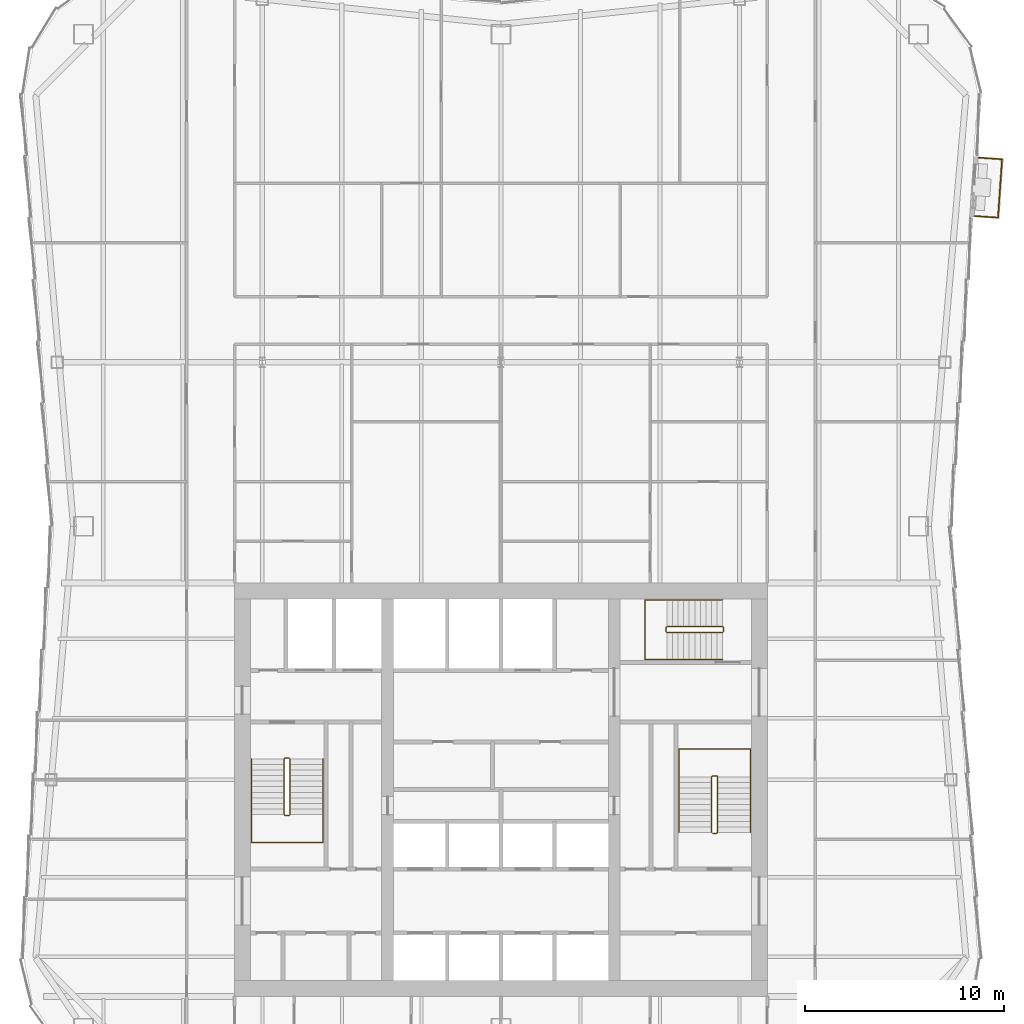
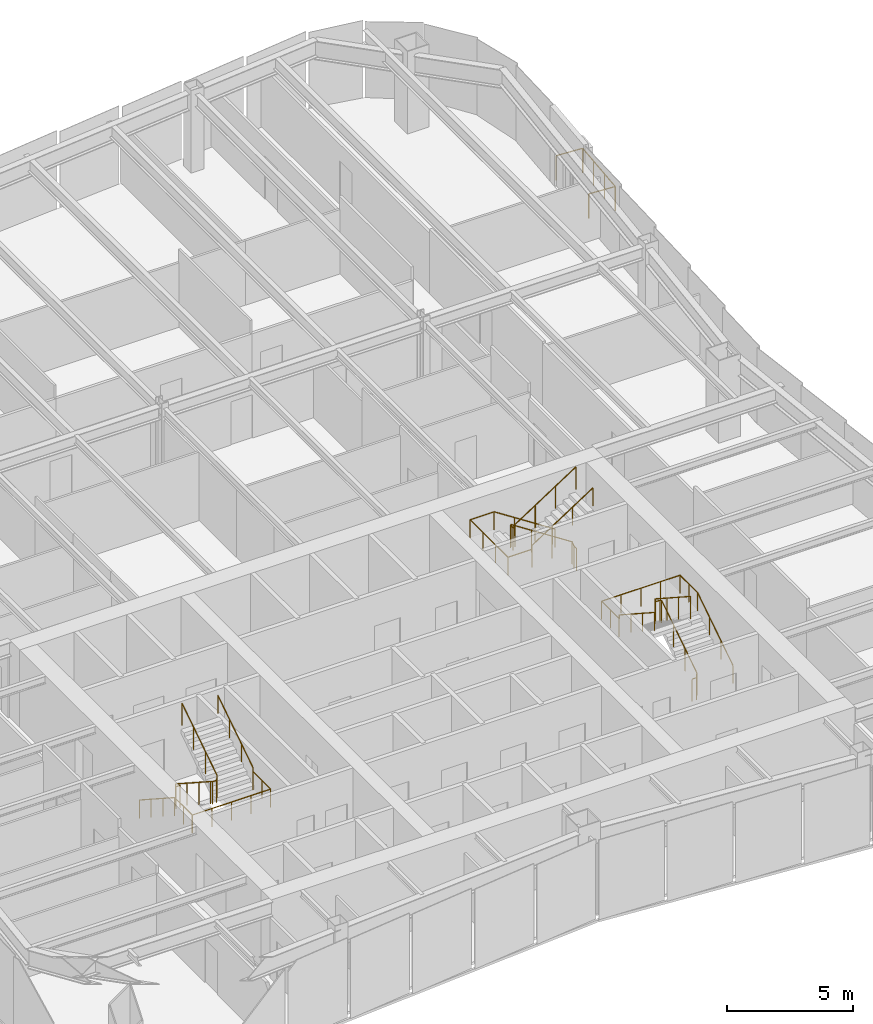
# One storey, part 11 of 12: 7 railings.
"""IFC4 building model written with IfcOpenShell, lengths in metres."""

from ifc_helpers import new_model, si_unit, direction, frame, origin, origin_2d, place, context, subcontext, project, spatial, circle, extrude, material, type_object, element, save


model = new_model("IFC4")

# Units and contexts
model_context = context("Model", 3, precision=1e-05, world=origin(), true_north=direction((0.0, 1.0)))
body_context = subcontext(model_context, "Body", "Model", "MODEL_VIEW")
ifc_project = project(units=[si_unit("LENGTHUNIT", "METRE"), si_unit("AREAUNIT", "SQUARE_METRE"), si_unit("VOLUMEUNIT", "CUBIC_METRE"), si_unit("PLANEANGLEUNIT", "RADIAN"), si_unit("MASSUNIT", "GRAM", prefix="KILO")], contexts=[model_context])

# Site, building, storey
site_placement = place(None, origin())
site = spatial("IfcSite", under=ifc_project, at=site_placement, CompositionType="ELEMENT")
building_placement = place(site_placement, origin())
building = spatial("IfcBuilding", under=site, at=building_placement, Name="Verdant Reach Tower", CompositionType="ELEMENT")
storey_placement = place(building_placement, frame((0.0, 0.0, 278.0)))
storey = spatial("IfcBuildingStorey", under=building, at=storey_placement, Name="L64", CompositionType="ELEMENT", Elevation=278.0)

# Railings
ifc_material_1 = material(Name="Stainless steel", Category="steel")
railing_type_1 = type_object("IfcRailingType", Name="CO-GUARD", PredefinedType="GUARDRAIL", material=ifc_material_1)
railing_1_placement = place(storey_placement, frame((-10.64990234375, 29.60009765625, 0.0)))
element("IfcRailing", 1, at=railing_1_placement, inside=storey, type_object=railing_type_1, Name="L64 ST-1 stair guard 1", PredefinedType="GUARDRAIL", context=body_context, shape_type="SweptSolid", body=[
    extrude(circle(Radius=0.02392578125, at=origin_2d()), frame((0.0, 0.0, 1.076171875), z_axis=(-1.0, 0.0, 0.0), x_axis=(0.0, -1.0, 0.0)), (0.0, 0.0, 1.0), 0.2001953125),
    extrude(circle(Radius=0.02392578125, at=origin_2d()), frame((-0.2001953125, 0.0, 1.076171875), z_axis=(-0.25526617399, -0.256517478764, 0.932222056972), x_axis=(0.708833529934, -0.705375805398, 0.0)), (0.0, 0.0, 1.0), 0.195068359375),
    extrude(circle(Radius=0.02392578125, at=origin_2d()), frame((-0.25, -0.050048828125, 1.2578125), z_axis=(0.0, -0.838705829183, 0.544584733623), x_axis=(1.0, 0.0, 0.0)), (0.0, 0.0, 1.0), 3.338623046875),
    extrude(circle(Radius=0.02392578125, at=origin_2d()), frame((-0.25, -2.85009765625, 3.076171875), z_axis=(0.705375805398, -0.708833529934, 0.0), x_axis=(0.708833529934, 0.705375805398, 0.0)), (0.0, 0.0, 1.0), 0.070556640625),
    extrude(circle(Radius=0.02392578125, at=origin_2d()), frame((-0.2001953125, -2.900146484375, 3.076171875), z_axis=(1.0, 0.0, 0.0), x_axis=(0.0, 1.0, 0.0)), (0.0, 0.0, 1.0), 0.2001953125),
    extrude(circle(Radius=0.02392578125, at=origin_2d()), frame((0.0, -2.900146484375, 3.076171875), z_axis=(0.25526617399, 0.256517478764, 0.932222056972), x_axis=(-0.708833529934, 0.705375805398, 0.0)), (0.0, 0.0, 1.0), 0.195068359375),
    extrude(circle(Radius=0.02392578125, at=origin_2d()), frame((0.0498046875, -2.85009765625, 3.2578125), z_axis=(0.0, 0.838705829183, 0.544584733623), x_axis=(-1.0, 0.0, 0.0)), (0.0, 0.0, 1.0), 3.338623046875),
    extrude(circle(Radius=0.02099609375, at=origin_2d()), origin(), (0.0, 0.0, 1.0), 1.052001953125),
    extrude(circle(Radius=0.02099609375, at=origin_2d()), frame((-0.2001953125, 0.0, 0.0)), (0.0, 0.0, 1.0), 1.052001953125),
    extrude(circle(Radius=0.02099609375, at=origin_2d()), frame((-0.25, -0.050048828125, 0.181884765625)), (0.0, 0.0, 1.0), 1.052001953125),
    extrude(circle(Radius=0.02099609375, at=origin_2d()), frame((-0.25, -0.9833984375, 0.787841796875)), (0.0, 0.0, 1.0), 1.052001953125),
    extrude(circle(Radius=0.02099609375, at=origin_2d()), frame((-0.25, -1.916748046875, 1.39404296875)), (0.0, 0.0, 1.0), 1.052001953125),
    extrude(circle(Radius=0.02099609375, at=origin_2d()), frame((-0.25, -2.85009765625, 2.0)), (0.0, 0.0, 1.0), 1.052001953125),
    extrude(circle(Radius=0.02099609375, at=origin_2d()), frame((-0.2001953125, -2.900146484375, 2.0)), (0.0, 0.0, 1.0), 1.052001953125),
    extrude(circle(Radius=0.02099609375, at=origin_2d()), frame((0.0, -2.900146484375, 2.0)), (0.0, 0.0, 1.0), 1.052001953125),
    extrude(circle(Radius=0.02099609375, at=origin_2d()), frame((0.0498046875, -2.85009765625, 2.181884765625)), (0.0, 0.0, 1.0), 1.052001953125),
    extrude(circle(Radius=0.02099609375, at=origin_2d()), frame((0.0498046875, -1.916748046875, 2.787841796875)), (0.0, 0.0, 1.0), 1.052001953125),
    extrude(circle(Radius=0.02099609375, at=origin_2d()), frame((0.0498046875, -0.9833984375, 3.39404296875)), (0.0, 0.0, 1.0), 1.052001953125),
    extrude(circle(Radius=0.02099609375, at=origin_2d()), frame((0.0498046875, -0.050048828125, 4.0)), (0.0, 0.0, 1.0), 1.052001953125),
])
railing_2_placement = place(storey_placement, frame((10.64990234375, 25.800048828125, 0.0)))
element("IfcRailing", 2, at=railing_2_placement, inside=storey, type_object=railing_type_1, Name="L64 ST-2 stair guard 1", PredefinedType="GUARDRAIL", context=body_context, shape_type="SweptSolid", body=[
    extrude(circle(Radius=0.02392578125, at=origin_2d()), frame((0.0, 0.0, 1.076171875), z_axis=(1.0, 0.0, 0.0), x_axis=(0.0, 1.0, 0.0)), (0.0, 0.0, 1.0), 0.2001953125),
    extrude(circle(Radius=0.02392578125, at=origin_2d()), frame((0.2001953125, 0.0, 1.076171875), z_axis=(0.25526617399, 0.256517478764, 0.932222056972), x_axis=(-0.708833529934, 0.705375805398, 0.0)), (0.0, 0.0, 1.0), 0.195068359375),
    extrude(circle(Radius=0.02392578125, at=origin_2d()), frame((0.25, 0.050048828125, 1.2578125), z_axis=(0.0, 0.83868413941, 0.544618136222), x_axis=(-1.0, 0.0, 0.0)), (0.0, 0.0, 1.0), 3.33837890625),
    extrude(circle(Radius=0.02392578125, at=origin_2d()), frame((0.25, 2.849853515625, 3.076171875), z_axis=(-0.705375805398, 0.708833529934, 0.0), x_axis=(-0.708833529934, -0.705375805398, 0.0)), (0.0, 0.0, 1.0), 0.070556640625),
    extrude(circle(Radius=0.02392578125, at=origin_2d()), frame((0.2001953125, 2.89990234375, 3.076171875), z_axis=(-1.0, 0.0, 0.0), x_axis=(0.0, -1.0, 0.0)), (0.0, 0.0, 1.0), 0.2001953125),
    extrude(circle(Radius=0.02392578125, at=origin_2d()), frame((0.0, 2.89990234375, 3.076171875), z_axis=(-0.25526617399, -0.256517478764, 0.932222056972), x_axis=(0.708833529934, -0.705375805398, 0.0)), (0.0, 0.0, 1.0), 0.195068359375),
    extrude(circle(Radius=0.02392578125, at=origin_2d()), frame((-0.0498046875, 2.849853515625, 3.2578125), z_axis=(0.0, -0.83868413941, 0.544618136222), x_axis=(1.0, 0.0, 0.0)), (0.0, 0.0, 1.0), 3.33837890625),
    extrude(circle(Radius=0.02099609375, at=origin_2d()), origin(), (0.0, 0.0, 1.0), 1.052001953125),
    extrude(circle(Radius=0.02099609375, at=origin_2d()), frame((0.2001953125, 0.0, 0.0)), (0.0, 0.0, 1.0), 1.052001953125),
    extrude(circle(Radius=0.02099609375, at=origin_2d()), frame((0.25, 0.050048828125, 0.181884765625)), (0.0, 0.0, 1.0), 1.052001953125),
    extrude(circle(Radius=0.02099609375, at=origin_2d()), frame((0.25, 0.9833984375, 0.787841796875)), (0.0, 0.0, 1.0), 1.052001953125),
    extrude(circle(Radius=0.02099609375, at=origin_2d()), frame((0.25, 1.91650390625, 1.39404296875)), (0.0, 0.0, 1.0), 1.052001953125),
    extrude(circle(Radius=0.02099609375, at=origin_2d()), frame((0.25, 2.849853515625, 2.0)), (0.0, 0.0, 1.0), 1.052001953125),
    extrude(circle(Radius=0.02099609375, at=origin_2d()), frame((0.2001953125, 2.89990234375, 2.0)), (0.0, 0.0, 1.0), 1.052001953125),
    extrude(circle(Radius=0.02099609375, at=origin_2d()), frame((0.0, 2.89990234375, 2.0)), (0.0, 0.0, 1.0), 1.052001953125),
    extrude(circle(Radius=0.02099609375, at=origin_2d()), frame((-0.0498046875, 2.849853515625, 2.181884765625)), (0.0, 0.0, 1.0), 1.052001953125),
    extrude(circle(Radius=0.02099609375, at=origin_2d()), frame((-0.0498046875, 1.91650390625, 2.787841796875)), (0.0, 0.0, 1.0), 1.052001953125),
    extrude(circle(Radius=0.02099609375, at=origin_2d()), frame((-0.0498046875, 0.9833984375, 3.39404296875)), (0.0, 0.0, 1.0), 1.052001953125),
    extrude(circle(Radius=0.02099609375, at=origin_2d()), frame((-0.0498046875, 0.050048828125, 4.0)), (0.0, 0.0, 1.0), 1.052001953125),
])
railing_3_placement = place(storey_placement, frame((11.199951171875, 35.949951171875, 0.0)))
element("IfcRailing", 3, at=railing_3_placement, inside=storey, type_object=railing_type_1, Name="L64 ST-3 stair guard 1", PredefinedType="GUARDRAIL", context=body_context, shape_type="SweptSolid", body=[
    extrude(circle(Radius=0.02392578125, at=origin_2d()), frame((0.0, 0.0, 1.076171875), z_axis=(0.0, 1.0, 0.0), x_axis=(-1.0, 0.0, 0.0)), (0.0, 0.0, 1.0), 0.199951171875),
    extrude(circle(Radius=0.02392578125, at=origin_2d()), frame((0.0, 0.199951171875, 1.076171875), z_axis=(-0.256435381639, 0.256435381639, 0.931923704005), x_axis=(-0.707106781187, -0.707106781187, 0.0)), (0.0, 0.0, 1.0), 0.195068359375),
    extrude(circle(Radius=0.02392578125, at=origin_2d()), frame((-0.050048828125, 0.25, 1.2578125), z_axis=(-0.83868413941, 0.0, 0.544618136222), x_axis=(0.0, -1.0, 0.0)), (0.0, 0.0, 1.0), 3.33837890625),
    extrude(circle(Radius=0.02392578125, at=origin_2d()), frame((-2.849853515625, 0.25, 3.076171875), z_axis=(-0.707106781187, -0.707106781187, 0.0), x_axis=(0.707106781187, -0.707106781187, 0.0)), (0.0, 0.0, 1.0), 0.07080078125),
    extrude(circle(Radius=0.02392578125, at=origin_2d()), frame((-2.89990234375, 0.199951171875, 3.076171875), z_axis=(0.0, -1.0, 0.0), x_axis=(1.0, 0.0, 0.0)), (0.0, 0.0, 1.0), 0.199951171875),
    extrude(circle(Radius=0.02392578125, at=origin_2d()), frame((-2.89990234375, 0.0, 3.076171875), z_axis=(0.256435381639, -0.256435381639, 0.931923704005), x_axis=(0.707106781187, 0.707106781187, 0.0)), (0.0, 0.0, 1.0), 0.195068359375),
    extrude(circle(Radius=0.02392578125, at=origin_2d()), frame((-2.849853515625, -0.050048828125, 3.2578125), z_axis=(0.83868413941, 0.0, 0.544618136222), x_axis=(0.0, 1.0, 0.0)), (0.0, 0.0, 1.0), 3.33837890625),
    extrude(circle(Radius=0.02099609375, at=origin_2d()), origin(), (0.0, 0.0, 1.0), 1.052001953125),
    extrude(circle(Radius=0.02099609375, at=origin_2d()), frame((0.0, 0.199951171875, 0.0)), (0.0, 0.0, 1.0), 1.052001953125),
    extrude(circle(Radius=0.02099609375, at=origin_2d()), frame((-0.050048828125, 0.25, 0.181884765625)), (0.0, 0.0, 1.0), 1.052001953125),
    extrude(circle(Radius=0.02099609375, at=origin_2d()), frame((-0.9833984375, 0.25, 0.787841796875)), (0.0, 0.0, 1.0), 1.052001953125),
    extrude(circle(Radius=0.02099609375, at=origin_2d()), frame((-1.91650390625, 0.25, 1.39404296875)), (0.0, 0.0, 1.0), 1.052001953125),
    extrude(circle(Radius=0.02099609375, at=origin_2d()), frame((-2.849853515625, 0.25, 2.0)), (0.0, 0.0, 1.0), 1.052001953125),
    extrude(circle(Radius=0.02099609375, at=origin_2d()), frame((-2.89990234375, 0.199951171875, 2.0)), (0.0, 0.0, 1.0), 1.052001953125),
    extrude(circle(Radius=0.02099609375, at=origin_2d()), frame((-2.89990234375, 0.0, 2.0)), (0.0, 0.0, 1.0), 1.052001953125),
    extrude(circle(Radius=0.02099609375, at=origin_2d()), frame((-2.849853515625, -0.050048828125, 2.181884765625)), (0.0, 0.0, 1.0), 1.052001953125),
    extrude(circle(Radius=0.02099609375, at=origin_2d()), frame((-1.91650390625, -0.050048828125, 2.787841796875)), (0.0, 0.0, 1.0), 1.052001953125),
    extrude(circle(Radius=0.02099609375, at=origin_2d()), frame((-0.9833984375, -0.050048828125, 3.39404296875)), (0.0, 0.0, 1.0), 1.052001953125),
    extrude(circle(Radius=0.02099609375, at=origin_2d()), frame((-0.050048828125, -0.050048828125, 4.0)), (0.0, 0.0, 1.0), 1.052001953125),
])
railing_type_2 = type_object("IfcRailingType", Name="CO-HANDRAIL", PredefinedType="HANDRAIL", material=ifc_material_1)
railing_4_placement = place(storey_placement, frame((-12.550048828125, 29.550048828125, 0.181884765625)))
element("IfcRailing", 4, at=railing_4_placement, inside=storey, type_object=railing_type_2, Name="L64 ST-1 stair handrail 1", PredefinedType="HANDRAIL", context=body_context, shape_type="SweptSolid", body=[
    extrude(circle(Radius=0.02392578125, at=origin_2d()), frame((0.0, 0.0, 0.8759765625), z_axis=(0.0, -0.838705829183, 0.544584733623), x_axis=(1.0, 0.0, 0.0)), (0.0, 0.0, 1.0), 3.338623046875),
    extrude(circle(Radius=0.02392578125, at=origin_2d()), frame((0.0, -2.800048828125, 2.69384765625), z_axis=(0.0, -1.0, 0.0), x_axis=(1.0, 0.0, 0.0)), (0.0, 0.0, 1.0), 1.39990234375),
    extrude(circle(Radius=0.02392578125, at=origin_2d()), frame((0.0, -4.199951171875, 2.69384765625), z_axis=(1.0, 0.0, 0.0), x_axis=(0.0, 1.0, 0.0)), (0.0, 0.0, 1.0), 3.60009765625),
    extrude(circle(Radius=0.02392578125, at=origin_2d()), frame((3.60009765625, -4.199951171875, 2.69384765625), z_axis=(0.0, 1.0, 0.0), x_axis=(-1.0, 0.0, 0.0)), (0.0, 0.0, 1.0), 1.39990234375),
    extrude(circle(Radius=0.02392578125, at=origin_2d()), frame((3.60009765625, -2.800048828125, 2.69384765625), z_axis=(0.0, 0.0, 1.0), x_axis=(1.0, 0.0, 0.0)), (0.0, 0.0, 1.0), 0.181884765625),
    extrude(circle(Radius=0.02392578125, at=origin_2d()), frame((3.60009765625, -2.800048828125, 2.8759765625), z_axis=(0.0, 0.838705829183, 0.544584733623), x_axis=(-1.0, 0.0, 0.0)), (0.0, 0.0, 1.0), 3.338623046875),
    extrude(circle(Radius=0.02099609375, at=origin_2d()), origin(), (0.0, 0.0, 1.0), 0.851806640625),
    extrude(circle(Radius=0.02099609375, at=origin_2d()), frame((0.0, -0.933349609375, 0.60595703125)), (0.0, 0.0, 1.0), 0.851806640625),
    extrude(circle(Radius=0.02099609375, at=origin_2d()), frame((0.0, -1.86669921875, 1.212158203125)), (0.0, 0.0, 1.0), 0.851806640625),
    extrude(circle(Radius=0.02099609375, at=origin_2d()), frame((0.0, -2.800048828125, 1.818115234375)), (0.0, 0.0, 1.0), 0.851806640625),
    extrude(circle(Radius=0.02099609375, at=origin_2d()), frame((0.0, -3.5, 1.818115234375)), (0.0, 0.0, 1.0), 0.851806640625),
    extrude(circle(Radius=0.02099609375, at=origin_2d()), frame((0.0, -4.199951171875, 1.818115234375)), (0.0, 0.0, 1.0), 0.851806640625),
    extrude(circle(Radius=0.02099609375, at=origin_2d()), frame((0.89990234375, -4.199951171875, 1.818115234375)), (0.0, 0.0, 1.0), 0.851806640625),
    extrude(circle(Radius=0.02099609375, at=origin_2d()), frame((1.800048828125, -4.199951171875, 1.818115234375)), (0.0, 0.0, 1.0), 0.851806640625),
    extrude(circle(Radius=0.02099609375, at=origin_2d()), frame((2.7001953125, -4.199951171875, 1.818115234375)), (0.0, 0.0, 1.0), 0.851806640625),
    extrude(circle(Radius=0.02099609375, at=origin_2d()), frame((3.60009765625, -4.199951171875, 1.818115234375)), (0.0, 0.0, 1.0), 0.851806640625),
    extrude(circle(Radius=0.02099609375, at=origin_2d()), frame((3.60009765625, -3.5, 1.818115234375)), (0.0, 0.0, 1.0), 0.851806640625),
    extrude(circle(Radius=0.02099609375, at=origin_2d()), frame((3.60009765625, -2.800048828125, 1.818115234375)), (0.0, 0.0, 1.0), 0.851806640625),
    extrude(circle(Radius=0.02099609375, at=origin_2d()), frame((3.60009765625, -2.800048828125, 2.0)), (0.0, 0.0, 1.0), 0.851806640625),
    extrude(circle(Radius=0.02099609375, at=origin_2d()), frame((3.60009765625, -1.86669921875, 2.60595703125)), (0.0, 0.0, 1.0), 0.851806640625),
    extrude(circle(Radius=0.02099609375, at=origin_2d()), frame((3.60009765625, -0.933349609375, 3.212158203125)), (0.0, 0.0, 1.0), 0.851806640625),
    extrude(circle(Radius=0.02099609375, at=origin_2d()), frame((3.60009765625, 0.0, 3.818115234375)), (0.0, 0.0, 1.0), 0.851806640625),
])
railing_5_placement = place(storey_placement, frame((12.550048828125, 25.85009765625, 0.181884765625)))
element("IfcRailing", 5, at=railing_5_placement, inside=storey, type_object=railing_type_2, Name="L64 ST-2 stair handrail 1", PredefinedType="HANDRAIL", context=body_context, shape_type="SweptSolid", body=[
    extrude(circle(Radius=0.02392578125, at=origin_2d()), frame((0.0, 0.0, 0.8759765625), z_axis=(0.0, 0.83868413941, 0.544618136222), x_axis=(-1.0, 0.0, 0.0)), (0.0, 0.0, 1.0), 3.33837890625),
    extrude(circle(Radius=0.02392578125, at=origin_2d()), frame((0.0, 2.7998046875, 2.69384765625), z_axis=(0.0, 1.0, 0.0), x_axis=(-1.0, 0.0, 0.0)), (0.0, 0.0, 1.0), 1.400146484375),
    extrude(circle(Radius=0.02392578125, at=origin_2d()), frame((0.0, 4.199951171875, 2.69384765625), z_axis=(-1.0, 0.0, 0.0), x_axis=(0.0, -1.0, 0.0)), (0.0, 0.0, 1.0), 3.60009765625),
    extrude(circle(Radius=0.02392578125, at=origin_2d()), frame((-3.60009765625, 4.199951171875, 2.69384765625), z_axis=(0.0, -1.0, 0.0), x_axis=(1.0, 0.0, 0.0)), (0.0, 0.0, 1.0), 1.400146484375),
    extrude(circle(Radius=0.02392578125, at=origin_2d()), frame((-3.60009765625, 2.7998046875, 2.69384765625), z_axis=(0.0, 0.0, 1.0), x_axis=(1.0, 0.0, 0.0)), (0.0, 0.0, 1.0), 0.181884765625),
    extrude(circle(Radius=0.02392578125, at=origin_2d()), frame((-3.60009765625, 2.7998046875, 2.8759765625), z_axis=(0.0, -0.83868413941, 0.544618136222), x_axis=(1.0, 0.0, 0.0)), (0.0, 0.0, 1.0), 3.33837890625),
    extrude(circle(Radius=0.02099609375, at=origin_2d()), origin(), (0.0, 0.0, 1.0), 0.851806640625),
    extrude(circle(Radius=0.02099609375, at=origin_2d()), frame((0.0, 0.933349609375, 0.60595703125)), (0.0, 0.0, 1.0), 0.851806640625),
    extrude(circle(Radius=0.02099609375, at=origin_2d()), frame((0.0, 1.866455078125, 1.212158203125)), (0.0, 0.0, 1.0), 0.851806640625),
    extrude(circle(Radius=0.02099609375, at=origin_2d()), frame((0.0, 2.7998046875, 1.818115234375)), (0.0, 0.0, 1.0), 0.851806640625),
    extrude(circle(Radius=0.02099609375, at=origin_2d()), frame((0.0, 3.5, 1.818115234375)), (0.0, 0.0, 1.0), 0.851806640625),
    extrude(circle(Radius=0.02099609375, at=origin_2d()), frame((0.0, 4.199951171875, 1.818115234375)), (0.0, 0.0, 1.0), 0.851806640625),
    extrude(circle(Radius=0.02099609375, at=origin_2d()), frame((-0.89990234375, 4.199951171875, 1.818115234375)), (0.0, 0.0, 1.0), 0.851806640625),
    extrude(circle(Radius=0.02099609375, at=origin_2d()), frame((-1.800048828125, 4.199951171875, 1.818115234375)), (0.0, 0.0, 1.0), 0.851806640625),
    extrude(circle(Radius=0.02099609375, at=origin_2d()), frame((-2.7001953125, 4.199951171875, 1.818115234375)), (0.0, 0.0, 1.0), 0.851806640625),
    extrude(circle(Radius=0.02099609375, at=origin_2d()), frame((-3.60009765625, 4.199951171875, 1.818115234375)), (0.0, 0.0, 1.0), 0.851806640625),
    extrude(circle(Radius=0.02099609375, at=origin_2d()), frame((-3.60009765625, 3.5, 1.818115234375)), (0.0, 0.0, 1.0), 0.851806640625),
    extrude(circle(Radius=0.02099609375, at=origin_2d()), frame((-3.60009765625, 2.7998046875, 1.818115234375)), (0.0, 0.0, 1.0), 0.851806640625),
    extrude(circle(Radius=0.02099609375, at=origin_2d()), frame((-3.60009765625, 2.7998046875, 2.0)), (0.0, 0.0, 1.0), 0.851806640625),
    extrude(circle(Radius=0.02099609375, at=origin_2d()), frame((-3.60009765625, 1.866455078125, 2.60595703125)), (0.0, 0.0, 1.0), 0.851806640625),
    extrude(circle(Radius=0.02099609375, at=origin_2d()), frame((-3.60009765625, 0.933349609375, 3.212158203125)), (0.0, 0.0, 1.0), 0.851806640625),
    extrude(circle(Radius=0.02099609375, at=origin_2d()), frame((-3.60009765625, 0.0, 3.818115234375)), (0.0, 0.0, 1.0), 0.851806640625),
])
railing_6_placement = place(storey_placement, frame((11.14990234375, 37.550048828125, 0.181884765625)))
element("IfcRailing", 6, at=railing_6_placement, inside=storey, type_object=railing_type_2, Name="L64 ST-3 stair handrail 1", PredefinedType="HANDRAIL", context=body_context, shape_type="SweptSolid", body=[
    extrude(circle(Radius=0.02392578125, at=origin_2d()), frame((0.0, 0.0, 0.8759765625), z_axis=(-0.83868413941, 0.0, 0.544618136222), x_axis=(0.0, -1.0, 0.0)), (0.0, 0.0, 1.0), 3.33837890625),
    extrude(circle(Radius=0.02392578125, at=origin_2d()), frame((-2.7998046875, 0.0, 2.69384765625), z_axis=(-1.0, 0.0, 0.0), x_axis=(0.0, -1.0, 0.0)), (0.0, 0.0, 1.0), 1.10009765625),
    extrude(circle(Radius=0.02392578125, at=origin_2d()), frame((-3.89990234375, 0.0, 2.69384765625), z_axis=(0.0, -1.0, 0.0), x_axis=(1.0, 0.0, 0.0)), (0.0, 0.0, 1.0), 3.0),
    extrude(circle(Radius=0.02392578125, at=origin_2d()), frame((-3.89990234375, -3.0, 2.69384765625), z_axis=(1.0, 0.0, 0.0), x_axis=(0.0, 1.0, 0.0)), (0.0, 0.0, 1.0), 1.10009765625),
    extrude(circle(Radius=0.02392578125, at=origin_2d()), frame((-2.7998046875, -3.0, 2.69384765625), z_axis=(0.0, 0.0, 1.0), x_axis=(1.0, 0.0, 0.0)), (0.0, 0.0, 1.0), 0.181884765625),
    extrude(circle(Radius=0.02392578125, at=origin_2d()), frame((-2.7998046875, -3.0, 2.8759765625), z_axis=(0.83868413941, 0.0, 0.544618136222), x_axis=(0.0, 1.0, 0.0)), (0.0, 0.0, 1.0), 3.33837890625),
    extrude(circle(Radius=0.02099609375, at=origin_2d()), origin(), (0.0, 0.0, 1.0), 0.851806640625),
    extrude(circle(Radius=0.02099609375, at=origin_2d()), frame((-0.933349609375, 0.0, 0.60595703125)), (0.0, 0.0, 1.0), 0.851806640625),
    extrude(circle(Radius=0.02099609375, at=origin_2d()), frame((-1.866455078125, 0.0, 1.212158203125)), (0.0, 0.0, 1.0), 0.851806640625),
    extrude(circle(Radius=0.02099609375, at=origin_2d()), frame((-2.7998046875, 0.0, 1.818115234375)), (0.0, 0.0, 1.0), 0.851806640625),
    extrude(circle(Radius=0.02099609375, at=origin_2d()), frame((-3.89990234375, 0.0, 1.818115234375)), (0.0, 0.0, 1.0), 0.851806640625),
    extrude(circle(Radius=0.02099609375, at=origin_2d()), frame((-3.89990234375, -1.0, 1.818115234375)), (0.0, 0.0, 1.0), 0.851806640625),
    extrude(circle(Radius=0.02099609375, at=origin_2d()), frame((-3.89990234375, -2.0, 1.818115234375)), (0.0, 0.0, 1.0), 0.851806640625),
    extrude(circle(Radius=0.02099609375, at=origin_2d()), frame((-3.89990234375, -3.0, 1.818115234375)), (0.0, 0.0, 1.0), 0.851806640625),
    extrude(circle(Radius=0.02099609375, at=origin_2d()), frame((-2.7998046875, -3.0, 1.818115234375)), (0.0, 0.0, 1.0), 0.851806640625),
    extrude(circle(Radius=0.02099609375, at=origin_2d()), frame((-2.7998046875, -3.0, 2.0)), (0.0, 0.0, 1.0), 0.851806640625),
    extrude(circle(Radius=0.02099609375, at=origin_2d()), frame((-1.866455078125, -3.0, 2.60595703125)), (0.0, 0.0, 1.0), 0.851806640625),
    extrude(circle(Radius=0.02099609375, at=origin_2d()), frame((-0.933349609375, -3.0, 3.212158203125)), (0.0, 0.0, 1.0), 0.851806640625),
    extrude(circle(Radius=0.02099609375, at=origin_2d()), frame((0.0, -3.0, 3.818115234375)), (0.0, 0.0, 1.0), 0.851806640625),
])
ifc_material_2 = material(Name="Stainless steel and laminated glass balustrade", Category="steel")
railing_type_3 = type_object("IfcRailingType", Name="EN-RAILING BALCONY", PredefinedType="GUARDRAIL", material=ifc_material_2)
railing_7_placement = place(storey_placement, frame((23.83056640625, 56.85205078125, 0.0)))
element("IfcRailing", 7, at=railing_7_placement, inside=storey, type_object=railing_type_3, Name="Balcony guard 1, L64", PredefinedType="GUARDRAIL", context=body_context, shape_type="SweptSolid", body=[
    extrude(circle(Radius=0.02490234375, at=origin_2d()), frame((0.0, 0.0, 1.1748046875), z_axis=(0.997636711247, -0.068709478032, 0.0), x_axis=(0.068709478032, 0.997636711247, 0.0)), (0.0, 0.0, 1.0), 1.176025390625),
    extrude(circle(Radius=0.02490234375, at=origin_2d()), frame((1.17333984375, -0.080810546875, 1.1748046875), z_axis=(0.068773654488, 0.997632289197, 0.0), x_axis=(-0.997632289197, 0.068773654488, 0.0)), (0.0, 0.0, 1.0), 2.946533203125),
    extrude(circle(Radius=0.02490234375, at=origin_2d()), frame((1.3759765625, 2.858642578125, 1.1748046875), z_axis=(-0.997635730952, 0.068723710082, 0.0), x_axis=(-0.068723710082, -0.997635730952, 0.0)), (0.0, 0.0, 1.0), 1.17578125),
    extrude(circle(Radius=0.02490234375, at=origin_2d()), origin(), (0.0, 0.0, 1.0), 1.14990234375),
    extrude(circle(Radius=0.02490234375, at=origin_2d()), frame((1.17333984375, -0.080810546875, 0.0)), (0.0, 0.0, 1.0), 1.14990234375),
    extrude(circle(Radius=0.02490234375, at=origin_2d()), frame((1.240966796875, 0.89892578125, 0.0)), (0.0, 0.0, 1.0), 1.14990234375),
    extrude(circle(Radius=0.02490234375, at=origin_2d()), frame((1.308349609375, 1.87890625, 0.0)), (0.0, 0.0, 1.0), 1.14990234375),
    extrude(circle(Radius=0.02490234375, at=origin_2d()), frame((1.3759765625, 2.858642578125, 0.0)), (0.0, 0.0, 1.0), 1.14990234375),
    extrude(circle(Radius=0.02490234375, at=origin_2d()), frame((0.202880859375, 2.939453125, 0.0)), (0.0, 0.0, 1.0), 1.14990234375),
])

save(model, "model.ifc")
